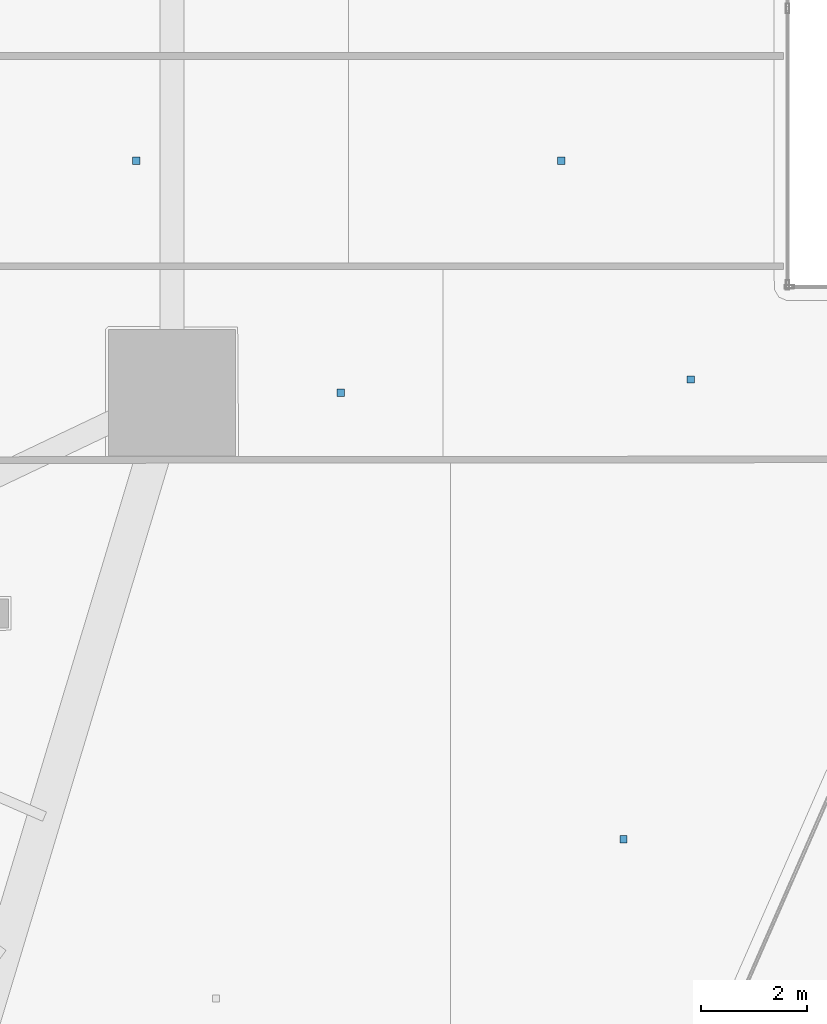
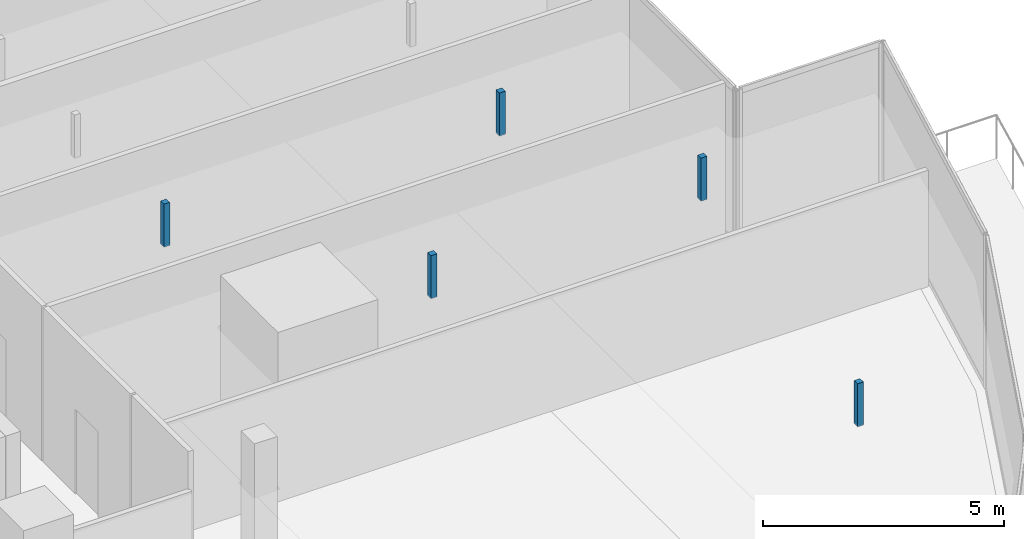
# One storey, part 32 of 44: 5 discrete accessories.
"""IFC4 building model written with IfcOpenShell, lengths in metres."""

from ifc_helpers import new_model, si_unit, direction, frame, origin, origin_2d, place, context, subcontext, project, spatial, rectangle, extrude, material, type_object, element, save


model = new_model("IFC4")

# Units and contexts
model_context = context("Model", 3, precision=1e-05, world=origin(), true_north=direction((0.0, 1.0)))
body_context = subcontext(model_context, "Body", "Model", "MODEL_VIEW")
ifc_project = project(units=[si_unit("LENGTHUNIT", "METRE"), si_unit("AREAUNIT", "SQUARE_METRE"), si_unit("VOLUMEUNIT", "CUBIC_METRE"), si_unit("PLANEANGLEUNIT", "RADIAN"), si_unit("MASSUNIT", "GRAM", prefix="KILO")], contexts=[model_context])

# Site, building, storey
site_placement = place(None, origin())
site = spatial("IfcSite", under=ifc_project, at=site_placement, CompositionType="ELEMENT")
building_placement = place(site_placement, origin())
building = spatial("IfcBuilding", under=site, at=building_placement, Name="Qorvath Tower", CompositionType="ELEMENT")
storey_placement = place(building_placement, frame((0.0, 0.0, 57.60009765625)))
storey = spatial("IfcBuildingStorey", under=building, at=storey_placement, Name="L12", CompositionType="ELEMENT", Elevation=57.60009765625)

# Discrete accessories
ifc_material = material(Name="Galvanised steel bracket", Category="steel")
discrete_accessory_type = type_object("IfcDiscreteAccessoryType", Name="DA-BRACKET", PredefinedType="BRACKET", material=ifc_material)
for number, where, z_axis, x_axis, name in (
    (1, (0.11474609375, -15.72412109375, 2.85986328125), (0.0, 0.0, 1.0), (1.0, 0.0, 0.0), "Acoustic Ceiling Suspension Hanger T1-L12-029"),
    (2, (-5.2392578125, -7.2763671875, 2.85986328125), (0.0, 0.0, 1.0), (1.0, 0.0, 0.0), "Acoustic Ceiling Suspension Hanger T1-L12-030"),
    (3, (1.383544921875, -7.0234375, 2.85986328125), (0.0, 0.0, 1.0), (1.0, 0.0, 0.0), "Acoustic Ceiling Suspension Hanger T1-L12-031"),
    (4, (-9.111572265625, -2.88525390625, 2.85986328125), (0.0, 0.0, 1.0), (1.0, 0.0, 0.0), "Acoustic Ceiling Suspension Hanger T1-L12-032"),
    (5, (-1.06103515625, -2.88525390625, 2.85986328125), (0.0, 0.0, 1.0), (1.0, 0.0, 0.0), "Acoustic Ceiling Suspension Hanger T1-L12-033"),
):
    element("IfcDiscreteAccessory", number, at=place(storey_placement, frame(where, z_axis=z_axis, x_axis=x_axis)), inside=storey, type_object=discrete_accessory_type, Name=name, PredefinedType="NOTDEFINED", context=body_context, shape_type="SweptSolid", body=[
        extrude(rectangle(XDim=0.139892578125, YDim=0.139892578125, at=origin_2d()), origin(), (0.0, 0.0, 1.0), 1.090087890625),
    ])

save(model, "model.ifc")
